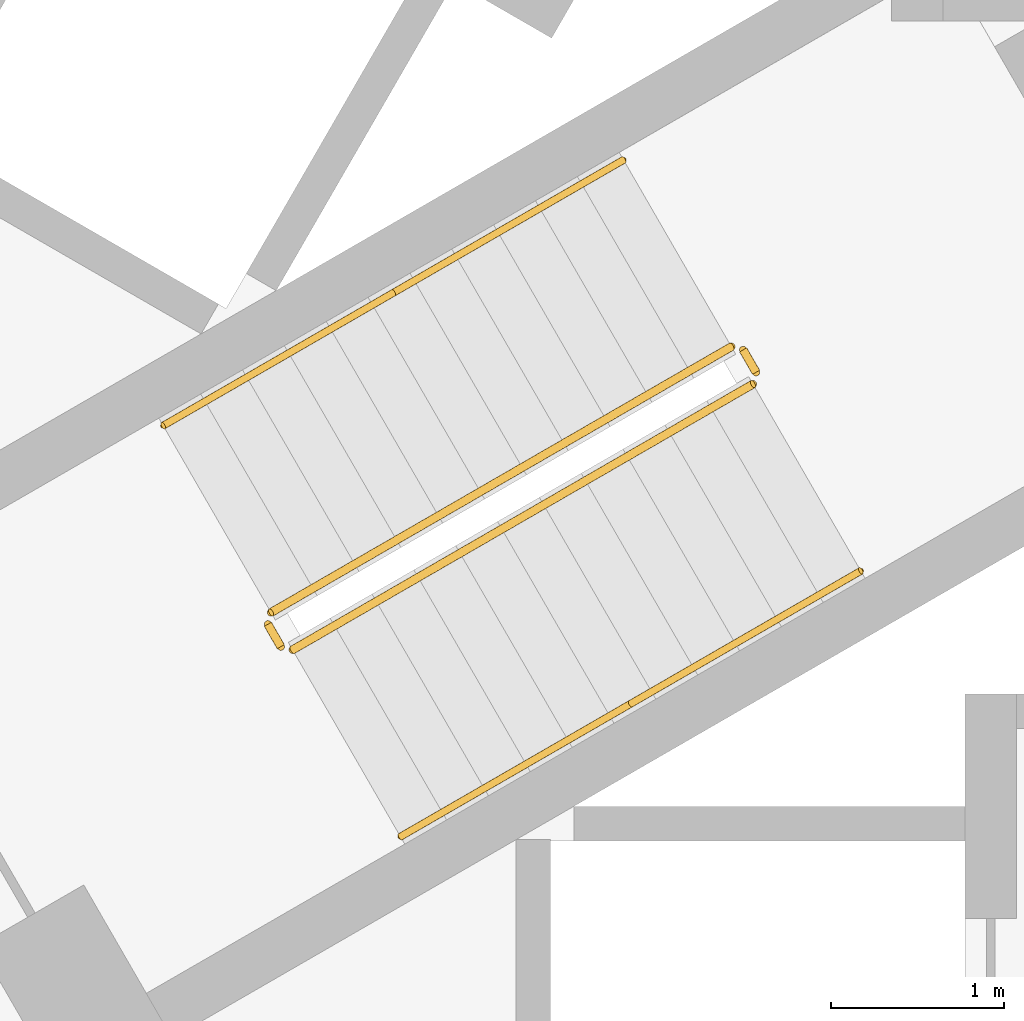
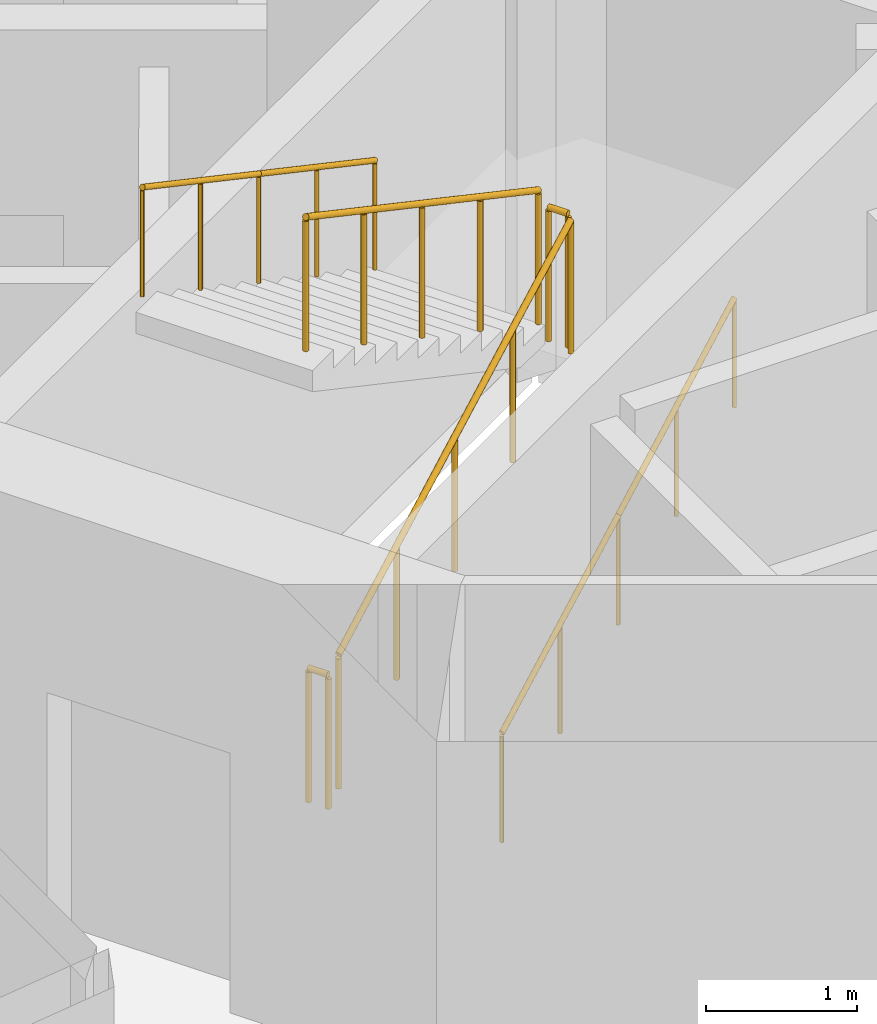
# One storey, part 10 of 14: 8 railings.
"""IFC4 building model written with IfcOpenShell, lengths in metres."""

from ifc_helpers import new_model, si_unit, direction, frame, origin, origin_2d, place, context, subcontext, project, spatial, circle, extrude, material, type_object, element, save


model = new_model("IFC4")

# Units and contexts
model_context = context("Model", 3, precision=1e-05, world=origin(), true_north=direction((0.0, 1.0)))
body_context = subcontext(model_context, "Body", "Model", "MODEL_VIEW")
ifc_project = project(units=[si_unit("LENGTHUNIT", "METRE"), si_unit("AREAUNIT", "SQUARE_METRE"), si_unit("VOLUMEUNIT", "CUBIC_METRE"), si_unit("PLANEANGLEUNIT", "RADIAN"), si_unit("MASSUNIT", "GRAM", prefix="KILO")], contexts=[model_context])

# Site, building, storey
site_placement = place(None, origin())
site = spatial("IfcSite", under=ifc_project, at=site_placement, CompositionType="ELEMENT")
building_placement = place(site_placement, origin())
building = spatial("IfcBuilding", under=site, at=building_placement, Name="Trine Commons Tower", CompositionType="ELEMENT")
storey_placement = place(building_placement, frame((0.0, 0.0, 249.300048828125)))
storey = spatial("IfcBuildingStorey", under=building, at=storey_placement, Name="L65", CompositionType="ELEMENT", Elevation=249.300048828125)

# Railings
ifc_material_1 = material(Name="Stainless steel balustrade", Category="steel")
railing_type_1 = type_object("IfcRailingType", Name="Stair guard, steel balustrade 1100", PredefinedType="GUARDRAIL", material=ifc_material_1)
railing_1_placement = place(storey_placement, frame((74.80517578125, 59.3564453125, 0.14990234375)))
element("IfcRailing", 1, at=railing_1_placement, inside=storey, type_object=railing_type_1, Name="L65 ST2C stair guard 1", PredefinedType="GUARDRAIL", context=body_context, shape_type="SweptSolid", body=[
    extrude(circle(Radius=0.02392578125, at=origin_2d()), frame((0.0, 0.0, 1.076171875), z_axis=(0.763379768245, 0.440728498818, 0.472239049384), x_axis=(-0.499992328818, 0.866029832698, 0.0)), (0.0, 0.0, 1.0), 3.494384765625),
    extrude(circle(Radius=0.02099609375, at=origin_2d()), origin(), (0.0, 0.0, 1.0), 1.052001953125),
    extrude(circle(Radius=0.02099609375, at=origin_2d()), frame((0.6669921875, 0.385009765625, 0.41259765625)), (0.0, 0.0, 1.0), 1.052001953125),
    extrude(circle(Radius=0.02099609375, at=origin_2d()), frame((1.333740234375, 0.77001953125, 0.8251953125)), (0.0, 0.0, 1.0), 1.052001953125),
    extrude(circle(Radius=0.02099609375, at=origin_2d()), frame((2.00048828125, 1.155029296875, 1.237548828125)), (0.0, 0.0, 1.0), 1.052001953125),
    extrude(circle(Radius=0.02099609375, at=origin_2d()), frame((2.66748046875, 1.5400390625, 1.650146484375)), (0.0, 0.0, 1.0), 1.052001953125),
])
railing_2_placement = place(storey_placement, frame((77.490966796875, 60.96484375, 1.800048828125)))
element("IfcRailing", 2, at=railing_2_placement, inside=storey, type_object=railing_type_1, Name="L65 ST2C stair guard 2", PredefinedType="GUARDRAIL", context=body_context, shape_type="SweptSolid", body=[
    extrude(circle(Radius=0.02392578125, at=origin_2d()), frame((0.0, 0.0, 1.076171875), z_axis=(-0.501036270542, 0.865426285481, 0.0), x_axis=(-0.865426285481, -0.501036270542, 0.0)), (0.0, 0.0, 1.0), 0.150146484375),
    extrude(circle(Radius=0.02099609375, at=origin_2d()), origin(), (0.0, 0.0, 1.0), 1.052001953125),
    extrude(circle(Radius=0.02099609375, at=origin_2d()), frame((-0.0751953125, 0.1298828125, 0.0)), (0.0, 0.0, 1.0), 1.052001953125),
])
railing_3_placement = place(storey_placement, frame((77.34765625, 61.113037109375, 1.949951171875)))
element("IfcRailing", 3, at=railing_3_placement, inside=storey, type_object=railing_type_1, Name="L65 ST2C stair guard 3", PredefinedType="GUARDRAIL", context=body_context, shape_type="SweptSolid", body=[
    extrude(circle(Radius=0.02392578125, at=origin_2d()), frame((0.0, 0.0, 1.076171875), z_axis=(-0.76340495495, -0.440743040072, 0.472184759798), x_axis=(0.499992328818, -0.866029832698, 0.0)), (0.0, 0.0, 1.0), 3.494140625),
    extrude(circle(Radius=0.02099609375, at=origin_2d()), origin(), (0.0, 0.0, 1.0), 1.052001953125),
    extrude(circle(Radius=0.02099609375, at=origin_2d()), frame((-0.6669921875, -0.385009765625, 0.41259765625)), (0.0, 0.0, 1.0), 1.052001953125),
    extrude(circle(Radius=0.02099609375, at=origin_2d()), frame((-1.333740234375, -0.77001953125, 0.824951171875)), (0.0, 0.0, 1.0), 1.052001953125),
    extrude(circle(Radius=0.02099609375, at=origin_2d()), frame((-2.00048828125, -1.155029296875, 1.2373046875)), (0.0, 0.0, 1.0), 1.052001953125),
    extrude(circle(Radius=0.02099609375, at=origin_2d()), frame((-2.66748046875, -1.5400390625, 1.64990234375)), (0.0, 0.0, 1.0), 1.052001953125),
])
railing_4_placement = place(storey_placement, frame((74.73681640625, 59.374755859375, 0.0)))
element("IfcRailing", 4, at=railing_4_placement, inside=storey, type_object=railing_type_1, Name="L65 ST2C stair guard 4", PredefinedType="GUARDRAIL", context=body_context, shape_type="SweptSolid", body=[
    extrude(circle(Radius=0.02392578125, at=origin_2d()), frame((0.0, 0.0, 1.076171875), z_axis=(-0.499816412211, 0.866131372301, 0.0), x_axis=(-0.866131372301, -0.499816412211, 0.0)), (0.0, 0.0, 1.0), 0.14990234375),
    extrude(circle(Radius=0.02099609375, at=origin_2d()), origin(), (0.0, 0.0, 1.0), 1.052001953125),
    extrude(circle(Radius=0.02099609375, at=origin_2d()), frame((-0.074951171875, 0.1298828125, 0.0)), (0.0, 0.0, 1.0), 1.052001953125),
])
ifc_material_2 = material(Name="Stainless steel handrail", Category="steel")
railing_type_2 = type_object("IfcRailingType", Name="Stair handrail, steel 900", PredefinedType="HANDRAIL", material=ifc_material_2)
railing_5_placement = place(storey_placement, frame((75.43017578125, 58.27392578125, 0.14990234375)))
element("IfcRailing", 5, at=railing_5_placement, inside=storey, type_object=railing_type_2, Name="L65 ST2C stair handrail 1", PredefinedType="HANDRAIL", context=body_context, shape_type="SweptSolid", body=[
    extrude(circle(Radius=0.02099609375, at=origin_2d()), frame((0.0, 0.0, 0.87890625), z_axis=(0.76340495495, 0.440743040072, 0.472184759798), x_axis=(-0.499992328818, 0.866029832698, 0.0)), (0.0, 0.0, 1.0), 1.7470703125),
    extrude(circle(Radius=0.01513671875, at=origin_2d()), origin(), (0.0, 0.0, 1.0), 0.85791015625),
    extrude(circle(Radius=0.01513671875, at=origin_2d()), frame((0.6669921875, 0.385009765625, 0.41259765625)), (0.0, 0.0, 1.0), 0.85791015625),
    extrude(circle(Radius=0.01513671875, at=origin_2d()), frame((1.333740234375, 0.77001953125, 0.824951171875)), (0.0, 0.0, 1.0), 0.85791015625),
])
railing_6_placement = place(storey_placement, frame((76.763916015625, 59.0439453125, 0.974853515625)))
element("IfcRailing", 6, at=railing_6_placement, inside=storey, type_object=railing_type_2, Name="L65 ST2C stair handrail 2", PredefinedType="HANDRAIL", context=body_context, shape_type="SweptSolid", body=[
    extrude(circle(Radius=0.02099609375, at=origin_2d()), frame((0.0, 0.0, 0.87890625), z_axis=(0.763354580307, 0.440713956853, 0.472293333596), x_axis=(-0.499992328818, 0.866029832698, 0.0)), (0.0, 0.0, 1.0), 1.747314453125),
    extrude(circle(Radius=0.01513671875, at=origin_2d()), origin(), (0.0, 0.0, 1.0), 0.85791015625),
    extrude(circle(Radius=0.01513671875, at=origin_2d()), frame((0.6669921875, 0.385009765625, 0.41259765625)), (0.0, 0.0, 1.0), 0.85791015625),
    extrude(circle(Radius=0.01513671875, at=origin_2d()), frame((1.333740234375, 0.77001953125, 0.8251953125)), (0.0, 0.0, 1.0), 0.85791015625),
])
for number, where, name in (
    (7, (76.72265625, 62.195556640625, 1.949951171875), "L65 ST2C stair handrail 3"),
    (8, (75.388916015625, 61.425537109375, 2.77490234375), "L65 ST2C stair handrail 4"),
):
    element("IfcRailing", number, at=place(storey_placement, frame(where)), inside=storey, type_object=railing_type_2, Name=name, PredefinedType="HANDRAIL", context=body_context, shape_type="SweptSolid", body=[
        extrude(circle(Radius=0.02099609375, at=origin_2d()), frame((0.0, 0.0, 0.87890625), z_axis=(-0.76340495495, -0.440743040072, 0.472184759798), x_axis=(0.499992328818, -0.866029832698, 0.0)), (0.0, 0.0, 1.0), 1.7470703125),
        extrude(circle(Radius=0.01513671875, at=origin_2d()), origin(), (0.0, 0.0, 1.0), 0.85791015625),
        extrude(circle(Radius=0.01513671875, at=origin_2d()), frame((-0.6669921875, -0.385009765625, 0.41259765625)), (0.0, 0.0, 1.0), 0.85791015625),
        extrude(circle(Radius=0.01513671875, at=origin_2d()), frame((-1.333740234375, -0.77001953125, 0.824951171875)), (0.0, 0.0, 1.0), 0.85791015625),
    ])

save(model, "model.ifc")
